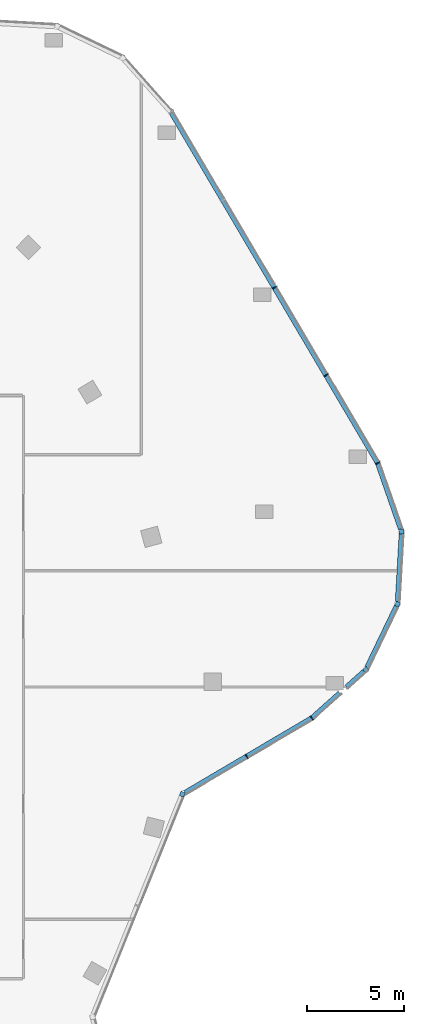
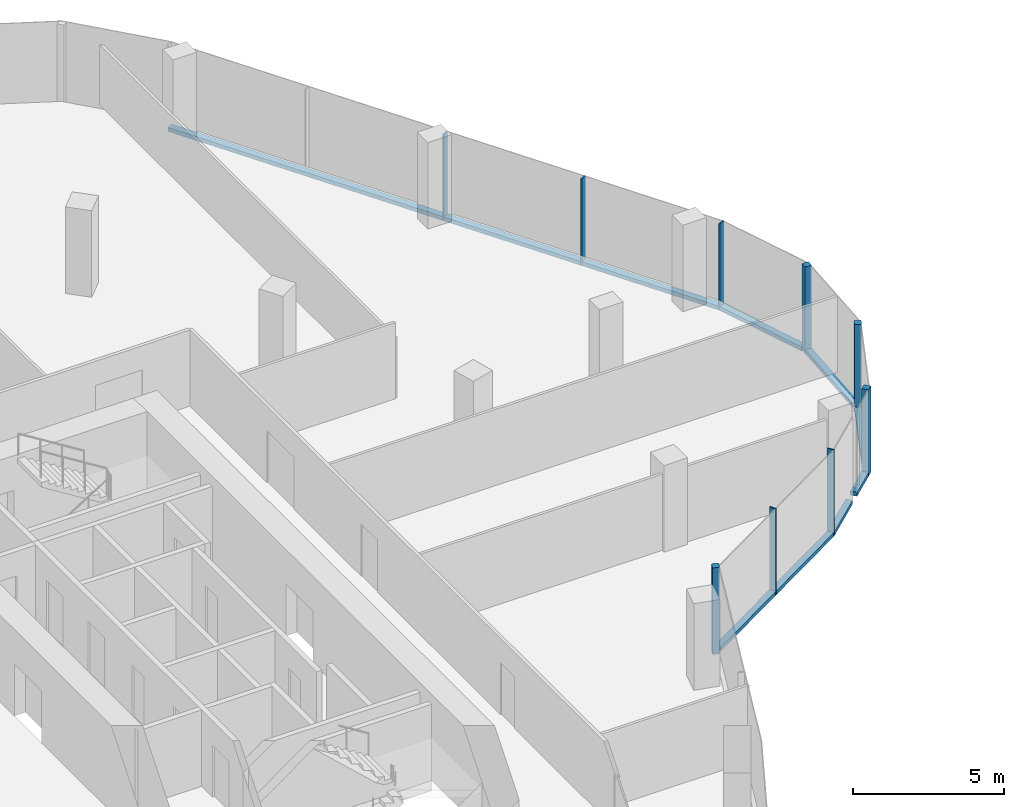
# One storey, part 7 of 16: 16 members, 7 elements without a shape of their own.
"""IFC4 building model written with IfcOpenShell, lengths in metres."""

from ifc_helpers import new_model, si_unit, direction, frame, origin, origin_2d, place, context, subcontext, project, spatial, rectangle, extrude, material, material_profile, profile_set, type_object, element, aggregate, save


model = new_model("IFC4")

# Units and contexts
model_context = context("Model", 3, precision=1e-05, world=origin(), true_north=direction((0.0, 1.0)))
body_context = subcontext(model_context, "Body", "Model", "MODEL_VIEW")
ifc_project = project(units=[si_unit("LENGTHUNIT", "METRE"), si_unit("AREAUNIT", "SQUARE_METRE"), si_unit("VOLUMEUNIT", "CUBIC_METRE"), si_unit("PLANEANGLEUNIT", "RADIAN"), si_unit("MASSUNIT", "GRAM", prefix="KILO")], contexts=[model_context])

# Site, building, storey
site_placement = place(None, origin())
site = spatial("IfcSite", under=ifc_project, at=site_placement, CompositionType="ELEMENT")
building_placement = place(site_placement, origin())
building = spatial("IfcBuilding", under=site, at=building_placement, Name="Orlundy Tower", CompositionType="ELEMENT")
storey_placement = place(building_placement, frame((0.0, 0.0, 285.89990234375)))
storey = spatial("IfcBuildingStorey", under=building, at=storey_placement, Name="L76", CompositionType="ELEMENT", Elevation=285.89990234375)

# Curtain wall, member
ifc_material_1 = material(Name="Aluminium bronze anodised", Category="aluminium")
curtain_wall_type = type_object("IfcCurtainWallType", Name="CW6 wall", PredefinedType="NOTDEFINED", material=ifc_material_1)
curtain_wall_1_placement = place(storey_placement, origin())
curtain_wall_1 = element("IfcCurtainWall", 1, at=curtain_wall_1_placement, inside=storey, type_object=curtain_wall_type, Name="CW6 run 01", PredefinedType="NOTDEFINED")
ifc_material_2 = material(Name="Aluminium bronze anodised", Category="aluminium")
ifc_material_profile_1 = material_profile(ifc_material_2, rectangle(XDim=0.239990234375, YDim=0.239990234375, at=origin_2d()), Name="CW6 corner post 240x240")
ifc_profile_set_1 = profile_set([ifc_material_profile_1], Name="Aluminium bronze anodised")
member_type_1 = type_object("IfcMemberType", Name="CW6 corner post 240x240", PredefinedType="MULLION", material=ifc_profile_set_1)
member_1_placement = place(storey_placement, frame((30.25, -5.53271484375, -0.39990234375), z_axis=(0.0, 0.0, 1.0), x_axis=(0.927195304229, -0.37457825326, 0.0)))
member_1 = element("IfcMember", 2, at=member_1_placement, type_object=member_type_1, Name="CW6 mullion 3", PredefinedType="MULLION", context=body_context, shape_type="SweptSolid", body=[
    extrude(rectangle(XDim=0.239990234375, YDim=0.239990234375, at=origin_2d()), origin(), (0.0, 0.0, 1.0), 3.5),
])
aggregate(curtain_wall_1, [member_1])

curtain_wall_2_placement = place(storey_placement, origin())
curtain_wall_2 = element("IfcCurtainWall", 3, at=curtain_wall_2_placement, inside=storey, type_object=curtain_wall_type, Name="CW6 run 025", PredefinedType="NOTDEFINED")
member_2_placement = place(storey_placement, frame((41.568115234375, 8.026123046875, -0.39990234375), z_axis=(0.0, 0.0, 1.0), x_axis=(0.998394082315, -0.056650299193, 0.0)))
member_2 = element("IfcMember", 4, at=member_2_placement, type_object=member_type_1, Name="CW6 mullion 50", PredefinedType="MULLION", context=body_context, shape_type="SweptSolid", body=[
    extrude(rectangle(XDim=0.239990234375, YDim=0.239990234375, at=origin_2d()), origin(), (0.0, 0.0, 1.0), 3.5),
])

curtain_wall_3_placement = place(storey_placement, origin())
curtain_wall_3 = element("IfcCurtainWall", 5, at=curtain_wall_3_placement, inside=storey, type_object=curtain_wall_type, Name="CW6 run 026", PredefinedType="NOTDEFINED")
member_3_placement = place(storey_placement, frame((41.35546875, 4.27734375, -0.39990234375), z_axis=(0.0, 0.0, 1.0), x_axis=(0.900755489188, -0.434326546158, 0.0)))
member_3 = element("IfcMember", 6, at=member_3_placement, type_object=member_type_1, Name="CW6 mullion 51", PredefinedType="MULLION", context=body_context, shape_type="SweptSolid", body=[
    extrude(rectangle(XDim=0.239990234375, YDim=0.239990234375, at=origin_2d()), origin(), (0.0, 0.0, 1.0), 3.5),
])

curtain_wall_4_placement = place(storey_placement, origin())
curtain_wall_4 = element("IfcCurtainWall", 7, at=curtain_wall_4_placement, inside=storey, type_object=curtain_wall_type, Name="CW6 run 027", PredefinedType="NOTDEFINED")
member_4_placement = place(storey_placement, frame((39.724609375, 0.895263671875, -0.39990234375), z_axis=(0.0, 0.0, 1.0), x_axis=(0.665769138425, -0.746157794518, 0.0)))
member_4 = element("IfcMember", 8, at=member_4_placement, type_object=member_type_1, Name="CW6 mullion 52", PredefinedType="MULLION", context=body_context, shape_type="SweptSolid", body=[
    extrude(rectangle(XDim=0.239990234375, YDim=0.239990234375, at=origin_2d()), origin(), (0.0, 0.0, 1.0), 3.5),
])

# Curtain wall, members
curtain_wall_5_placement = place(storey_placement, origin())
curtain_wall_5 = element("IfcCurtainWall", 9, at=curtain_wall_5_placement, inside=storey, type_object=curtain_wall_type, Name="CW6 run 00", PredefinedType="NOTDEFINED")
ifc_material_3 = material(Name="Aluminium bronze anodised", Category="aluminium")
ifc_material_profile_2 = material_profile(ifc_material_3, rectangle(XDim=0.239990234375, YDim=0.050048828125, at=origin_2d()), Name="CW6 mullion 50x240")
ifc_profile_set_2 = profile_set([ifc_material_profile_2], Name="Aluminium bronze anodised")
member_type_2 = type_object("IfcMemberType", Name="CW6 mullion 50x240", PredefinedType="MULLION", material=ifc_profile_set_2)
member_5_placement = place(storey_placement, frame((36.93212890625, -1.596435546875, -0.39990234375), z_axis=(0.0, 0.0, 1.0), x_axis=(0.58950023819, -0.807768202626, 0.0)))
member_5 = element("IfcMember", 10, at=member_5_placement, type_object=member_type_2, Name="CW6 mullion 1", PredefinedType="MULLION", context=body_context, shape_type="SweptSolid", body=[
    extrude(rectangle(XDim=0.239990234375, YDim=0.050048828125, at=origin_2d()), origin(), (0.0, 0.0, 1.0), 3.5),
])
member_6_placement = place(storey_placement, frame((33.568359375, -3.577880859375, -0.39990234375), z_axis=(0.0, 0.0, 1.0), x_axis=(0.507564597416, -0.861613706628, 0.0)))
member_6 = element("IfcMember", 11, at=member_6_placement, type_object=member_type_2, Name="CW6 mullion 2", PredefinedType="MULLION", context=body_context, shape_type="SweptSolid", body=[
    extrude(rectangle(XDim=0.239990234375, YDim=0.050048828125, at=origin_2d()), origin(), (0.0, 0.0, 1.0), 3.5),
])

curtain_wall_6_placement = place(storey_placement, origin())
curtain_wall_6 = element("IfcCurtainWall", 12, at=curtain_wall_6_placement, inside=storey, type_object=curtain_wall_type, Name="CW6 run 023", PredefinedType="NOTDEFINED")
member_7_placement = place(storey_placement, frame((34.99951171875, 20.615966796875, -0.39990234375), z_axis=(0.0, 0.0, 1.0), x_axis=(0.861632919827, 0.507531980737, 0.0)))
member_7 = element("IfcMember", 13, at=member_7_placement, type_object=member_type_2, Name="CW6 mullion 47", PredefinedType="MULLION", context=body_context, shape_type="SweptSolid", body=[
    extrude(rectangle(XDim=0.239990234375, YDim=0.050048828125, at=origin_2d()), origin(), (0.0, 0.0, 1.0), 3.5),
])
member_8_placement = place(storey_placement, frame((37.663818359375, 16.09228515625, -0.39990234375), z_axis=(0.0, 0.0, 1.0), x_axis=(0.861632919827, 0.507531980737, 0.0)))
member_8 = element("IfcMember", 14, at=member_8_placement, type_object=member_type_2, Name="CW6 mullion 48", PredefinedType="MULLION", context=body_context, shape_type="SweptSolid", body=[
    extrude(rectangle(XDim=0.239990234375, YDim=0.050048828125, at=origin_2d()), origin(), (0.0, 0.0, 1.0), 3.5),
])

# Curtain wall, member
curtain_wall_7_placement = place(storey_placement, origin())
curtain_wall_7 = element("IfcCurtainWall", 15, at=curtain_wall_7_placement, inside=storey, type_object=curtain_wall_type, Name="CW6 run 024", PredefinedType="NOTDEFINED")
member_9_placement = place(storey_placement, frame((40.33447265625, 11.558837890625, -0.39990234375), z_axis=(0.0, 0.0, 1.0), x_axis=(0.907224134583, 0.420647559877, 0.0)))
member_9 = element("IfcMember", 16, at=member_9_placement, type_object=member_type_2, Name="CW6 mullion 49", PredefinedType="MULLION", context=body_context, shape_type="SweptSolid", body=[
    extrude(rectangle(XDim=0.239990234375, YDim=0.050048828125, at=origin_2d()), origin(), (0.0, 0.0, 1.0), 3.5),
])

# Member
ifc_material_4 = material(Name="Aluminium bronze anodised", Category="aluminium")
ifc_material_profile_3 = material_profile(ifc_material_4, rectangle(XDim=0.239990234375, YDim=0.159912109375, at=origin_2d()), Name="CW6 transom 240x160")
ifc_profile_set_3 = profile_set([ifc_material_profile_3], Name="Aluminium bronze anodised")
member_type_3 = type_object("IfcMemberType", Name="CW6 transom 240x160", PredefinedType="USERDEFINED", material=ifc_profile_set_3)
member_10_placement = place(storey_placement, frame((36.910400390625, -1.609130859375, -0.31982421875), z_axis=(-0.861603620196, -0.507581719199, 0.0), x_axis=(0.507581719199, -0.861603620196, 0.0)))
member_10 = element("IfcMember", 17, at=member_10_placement, type_object=member_type_3, Name="CW6 transom", ObjectType="TRANSOM", PredefinedType="USERDEFINED", context=body_context, shape_type="SweptSolid", body=[
    extrude(rectangle(XDim=0.239990234375, YDim=0.159912109375, at=origin_2d()), origin(), (0.0, 0.0, 1.0), 7.578857421875),
])

aggregate(curtain_wall_5, [member_5, member_6, member_10])

member_11_placement = place(storey_placement, frame((29.67724609375, 29.6513671875, -0.31982421875), z_axis=(0.507525200297, -0.861636913708, 0.0), x_axis=(0.861636913708, 0.507525200297, 0.0)))
member_11 = element("IfcMember", 18, at=member_11_placement, type_object=member_type_3, Name="CW6 transom", ObjectType="TRANSOM", PredefinedType="USERDEFINED", context=body_context, shape_type="SweptSolid", body=[
    extrude(rectangle(XDim=0.239990234375, YDim=0.159912109375, at=origin_2d()), origin(), (0.0, 0.0, 1.0), 20.972900390625),
])

aggregate(curtain_wall_6, [member_7, member_8, member_11])

member_12_placement = place(storey_placement, frame((40.3427734375, 11.534912109375, -0.31982421875), z_axis=(0.329713648261, -0.944080987072, 0.0), x_axis=(0.944080987072, 0.329713648261, 0.0)))
member_12 = element("IfcMember", 19, at=member_12_placement, type_object=member_type_3, Name="CW6 transom", ObjectType="TRANSOM", PredefinedType="USERDEFINED", context=body_context, shape_type="SweptSolid", body=[
    extrude(rectangle(XDim=0.239990234375, YDim=0.159912109375, at=origin_2d()), origin(), (0.0, 0.0, 1.0), 3.5869140625),
])

aggregate(curtain_wall_7, [member_9, member_12])

member_13_placement = place(storey_placement, frame((41.561279296875, 7.90625, -0.31982421875), z_axis=(-0.056631219489, -0.998395164741, 0.0), x_axis=(0.998395164741, -0.056631219489, 0.0)))
member_13 = element("IfcMember", 20, at=member_13_placement, type_object=member_type_3, Name="CW6 transom", ObjectType="TRANSOM", PredefinedType="USERDEFINED", context=body_context, shape_type="SweptSolid", body=[
    extrude(rectangle(XDim=0.239990234375, YDim=0.159912109375, at=origin_2d()), origin(), (0.0, 0.0, 1.0), 3.5048828125),
])

aggregate(curtain_wall_2, [member_2, member_13])

member_14_placement = place(storey_placement, frame((41.30322265625, 4.169189453125, -0.31982421875), z_axis=(-0.43429312937, -0.900771601341, 0.0), x_axis=(0.900771601341, -0.43429312937, 0.0)))
member_14 = element("IfcMember", 21, at=member_14_placement, type_object=member_type_3, Name="CW6 transom", ObjectType="TRANSOM", PredefinedType="USERDEFINED", context=body_context, shape_type="SweptSolid", body=[
    extrude(rectangle(XDim=0.239990234375, YDim=0.159912109375, at=origin_2d()), origin(), (0.0, 0.0, 1.0), 3.50439453125),
])

aggregate(curtain_wall_3, [member_3, member_14])

member_15_placement = place(storey_placement, frame((39.63525390625, 0.8154296875, -0.31982421875), z_axis=(-0.746222637186, -0.665696459169, 0.0), x_axis=(0.665696459169, -0.746222637186, 0.0)))
member_15 = element("IfcMember", 22, at=member_15_placement, type_object=member_type_3, Name="CW6 transom", ObjectType="TRANSOM", PredefinedType="USERDEFINED", context=body_context, shape_type="SweptSolid", body=[
    extrude(rectangle(XDim=0.239990234375, YDim=0.159912109375, at=origin_2d()), origin(), (0.0, 0.0, 1.0), 1.2158203125),
])

member_16_placement = place(storey_placement, frame((38.37939453125, -0.304931640625, -0.31982421875), z_axis=(-0.746134478981, -0.665795268289, 0.0), x_axis=(0.665795268289, -0.746134478981, 0.0)))
member_16 = element("IfcMember", 23, at=member_16_placement, type_object=member_type_3, Name="CW6 transom", ObjectType="TRANSOM", PredefinedType="USERDEFINED", context=body_context, shape_type="SweptSolid", body=[
    extrude(rectangle(XDim=0.239990234375, YDim=0.159912109375, at=origin_2d()), origin(), (0.0, 0.0, 1.0), 1.91455078125),
])

aggregate(curtain_wall_4, [member_4, member_15, member_16])

save(model, "model.ifc")
